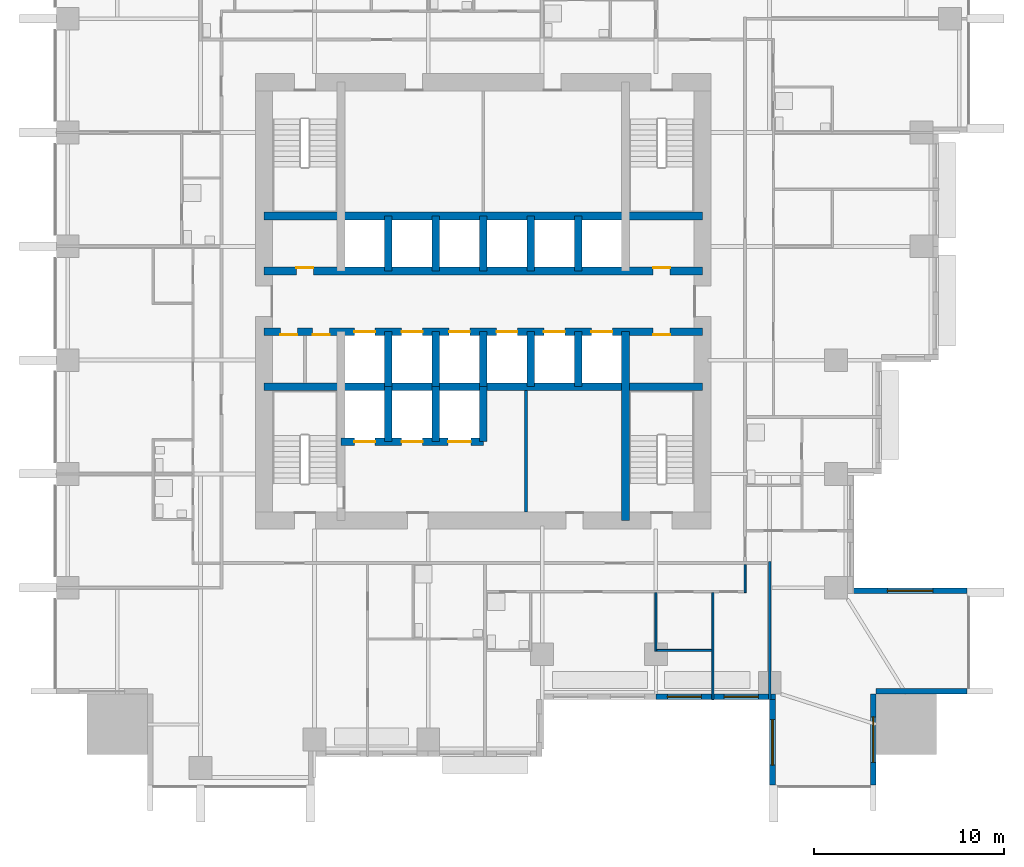
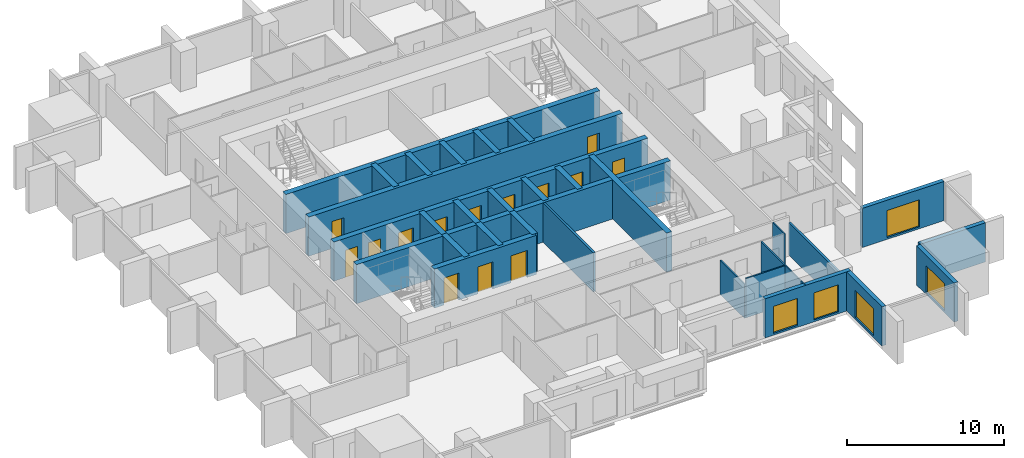
# One storey, part 5 of 10: 30 walls, 14 doors, 5 windows, 19 openings.
"""IFC4 building model written with IfcOpenShell, lengths in metres."""

from ifc_helpers import new_model, si_unit, direction, frame, frame_2d, origin, place, context, subcontext, project, spatial, rectangle, extrude, material, layer, layer_set, type_object, element, fill, save


model = new_model("IFC4")

# Units and contexts
model_context = context("Model", 3, precision=1e-05, world=origin(), true_north=direction((0.0, 1.0)))
body_context = subcontext(model_context, "Body", "Model", "MODEL_VIEW")
ifc_project = project(units=[si_unit("LENGTHUNIT", "METRE"), si_unit("AREAUNIT", "SQUARE_METRE"), si_unit("VOLUMEUNIT", "CUBIC_METRE"), si_unit("PLANEANGLEUNIT", "RADIAN"), si_unit("MASSUNIT", "GRAM", prefix="KILO")], contexts=[model_context])

# Site, building, storey
site_placement = place(None, origin())
site = spatial("IfcSite", under=ifc_project, at=site_placement, CompositionType="ELEMENT")
building_placement = place(site_placement, origin())
building = spatial("IfcBuilding", under=site, at=building_placement, Name="Amberfall Residences", CompositionType="ELEMENT")
storey_placement = place(building_placement, frame((0.0, 0.0, 40.0)))
storey = spatial("IfcBuildingStorey", under=building, at=storey_placement, Name="L10", CompositionType="ELEMENT", Elevation=40.0)

# Wall, opening, window
ifc_material_1 = material(Name="Pale stone cladding on insulated backing", Category="masonry")
ifc_layer_1 = layer(ifc_material_1, 0.300048828125)
ifc_layer_set_1 = layer_set([ifc_layer_1], Name="Bronze clad wall 300")
wall_type_1 = type_object("IfcWallType", Name="Bronze clad wall 300", PredefinedType="SOLIDWALL", material=ifc_layer_set_1)
wall_1_placement = place(storey_placement, frame((89.75, 24.5, 0.0), z_axis=(0.0, 0.0, 1.0), x_axis=(0.0, -1.0, 0.0)))
wall_1 = element("IfcWall", 1, at=wall_1_placement, inside=storey, type_object=wall_type_1, Name="External wall L10 S", PredefinedType="SOLIDWALL", context=body_context, shape_type="SweptSolid", body=[
    extrude(rectangle(XDim=4.5, YDim=0.300048828125, at=frame_2d((2.25, 0.0))), origin(), (0.0, 0.0, 1.0), 3.050048828125),
])
opening_1_placement = place(wall_1_placement, frame((1.050048828125, 0.0, 0.14990234375)))
opening_1 = element("IfcOpeningElement", 2, at=opening_1_placement, cuts=wall_1, Name="Opening WN5", PredefinedType="OPENING", context=body_context, shape_type="SweptSolid", body=[
    extrude(rectangle(XDim=2.39990234375, YDim=2.10009765625, at=frame_2d((1.199951171875, 1.050048828125))), frame((0.0, 0.159912109375, 0.0), z_axis=(0.0, -1.0, 0.0), x_axis=(1.0, 0.0, 0.0)), (0.0, 0.0, 1.0), 0.320068359375),
])
ifc_material_2 = material(Name="Bronze aluminium framed glazing", Category="aluminium")
window_type_1 = type_object("IfcWindowType", Name="Glazed opening 2400 x 2100 bronze", PartitioningType="DOUBLE_PANEL_VERTICAL", PredefinedType="WINDOW", material=ifc_material_2)
window_1_placement = place(opening_1_placement, origin())
window_1 = element("IfcWindow", 3, at=window_1_placement, inside=storey, type_object=window_type_1, Name="Window L10 S", OverallHeight=2.10009765625, OverallWidth=2.39990234375, PartitioningType="DOUBLE_PANEL_VERTICAL", PredefinedType="WINDOW", context=body_context, shape_type="SweptSolid", body=[
    extrude(rectangle(XDim=2.39990234375, YDim=2.10009765625, at=frame_2d((1.199951171875, 1.050048828125))), frame((0.0, 0.030029296875, 0.0), z_axis=(0.0, -1.0, 0.0), x_axis=(1.0, 0.0, 0.0)), (0.0, 0.0, 1.0), 0.06005859375),
])
fill(opening_1, window_1)

wall_2_placement = place(storey_placement, frame((95.050048828125, 20.0, 0.0), z_axis=(0.0, 0.0, 1.0), x_axis=(0.0, 1.0, 0.0)))
wall_2 = element("IfcWall", 4, at=wall_2_placement, inside=storey, type_object=wall_type_1, Name="External wall L10 SE", PredefinedType="SOLIDWALL", context=body_context, shape_type="SweptSolid", body=[
    extrude(rectangle(XDim=4.800048828125, YDim=0.300048828125, at=frame_2d((2.39990234375, 0.0))), origin(), (0.0, 0.0, 1.0), 3.050048828125),
])
opening_2_placement = place(wall_2_placement, frame((1.199951171875, 0.0, 0.14990234375)))
opening_2 = element("IfcOpeningElement", 5, at=opening_2_placement, cuts=wall_2, Name="Opening WN5", PredefinedType="OPENING", context=body_context, shape_type="SweptSolid", body=[
    extrude(rectangle(XDim=2.39990234375, YDim=2.10009765625, at=frame_2d((1.199951171875, 1.050048828125))), frame((0.0, 0.159912109375, 0.0), z_axis=(0.0, -1.0, 0.0), x_axis=(1.0, 0.0, 0.0)), (0.0, 0.0, 1.0), 0.320068359375),
])
window_2_placement = place(opening_2_placement, origin())
window_2 = element("IfcWindow", 6, at=window_2_placement, inside=storey, type_object=window_type_1, Name="Window L10 SE", OverallHeight=2.10009765625, OverallWidth=2.39990234375, PartitioningType="DOUBLE_PANEL_VERTICAL", PredefinedType="WINDOW", context=body_context, shape_type="SweptSolid", body=[
    extrude(rectangle(XDim=2.39990234375, YDim=2.10009765625, at=frame_2d((1.199951171875, 1.050048828125))), frame((0.0, 0.030029296875, 0.0), z_axis=(0.0, -1.0, 0.0), x_axis=(1.0, 0.0, 0.0)), (0.0, 0.0, 1.0), 0.06005859375),
])
fill(opening_2, window_2)

# Wall
wall_3_placement = place(storey_placement, frame((95.199951171875, 24.949951171875, 0.0), z_axis=(0.0, 0.0, 1.0), x_axis=(1.0, 0.0, 0.0)))
element("IfcWall", 7, at=wall_3_placement, inside=storey, type_object=wall_type_1, Name="External wall L10 SE", PredefinedType="SOLIDWALL", context=body_context, shape_type="SweptSolid", body=[
    extrude(rectangle(XDim=4.800048828125, YDim=0.300048828125, at=frame_2d((2.39990234375, 0.0))), origin(), (0.0, 0.0, 1.0), 3.050048828125),
])

# Wall, opening, window
wall_4_placement = place(storey_placement, frame((100.0, 30.25, 0.0), z_axis=(0.0, 0.0, 1.0), x_axis=(-1.0, 0.0, 0.0)))
wall_4 = element("IfcWall", 8, at=wall_4_placement, inside=storey, type_object=wall_type_1, Name="External wall L10 E", PredefinedType="SOLIDWALL", context=body_context, shape_type="SweptSolid", body=[
    extrude(rectangle(XDim=6.0, YDim=0.300048828125, at=frame_2d((3.0, 0.0))), origin(), (0.0, 0.0, 1.0), 3.050048828125),
])
opening_3_placement = place(wall_4_placement, frame((1.800048828125, 0.0, 0.14990234375)))
opening_3 = element("IfcOpeningElement", 9, at=opening_3_placement, cuts=wall_4, Name="Opening WN5", PredefinedType="OPENING", context=body_context, shape_type="SweptSolid", body=[
    extrude(rectangle(XDim=2.39990234375, YDim=2.10009765625, at=frame_2d((1.199951171875, 1.050048828125))), frame((0.0, 0.159912109375, 0.0), z_axis=(0.0, -1.0, 0.0), x_axis=(1.0, 0.0, 0.0)), (0.0, 0.0, 1.0), 0.320068359375),
])
window_3_placement = place(opening_3_placement, origin())
window_3 = element("IfcWindow", 10, at=window_3_placement, inside=storey, type_object=window_type_1, Name="Window L10 E", OverallHeight=2.10009765625, OverallWidth=2.39990234375, PartitioningType="DOUBLE_PANEL_VERTICAL", PredefinedType="WINDOW", context=body_context, shape_type="SweptSolid", body=[
    extrude(rectangle(XDim=2.39990234375, YDim=2.10009765625, at=frame_2d((1.199951171875, 1.050048828125))), frame((0.0, 0.030029296875, 0.0), z_axis=(0.0, -1.0, 0.0), x_axis=(1.0, 0.0, 0.0)), (0.0, 0.0, 1.0), 0.06005859375),
])
fill(opening_3, window_3)

# Wall, openings, windows
wall_5_placement = place(storey_placement, frame((83.60009765625, 24.64990234375, 0.0), z_axis=(0.0, 0.0, 1.0), x_axis=(1.0, 0.0, 0.0)))
wall_5 = element("IfcWall", 11, at=wall_5_placement, inside=storey, type_object=wall_type_1, Name="Stone wall L10 S", PredefinedType="SOLIDWALL", context=body_context, shape_type="SweptSolid", body=[
    extrude(rectangle(XDim=6.2998046875, YDim=0.300048828125, at=frame_2d((3.14990234375, 0.0))), origin(), (0.0, 0.0, 1.0), 3.050048828125),
])
opening_4_placement = place(wall_5_placement, frame((0.60009765625, 0.0, 0.14990234375)))
opening_4 = element("IfcOpeningElement", 12, at=opening_4_placement, cuts=wall_5, Name="Opening WN6", PredefinedType="OPENING", context=body_context, shape_type="SweptSolid", body=[
    extrude(rectangle(XDim=1.800048828125, YDim=2.10009765625, at=frame_2d((0.89990234375, 1.050048828125))), frame((0.0, 0.159912109375, 0.0), z_axis=(0.0, -1.0, 0.0), x_axis=(1.0, 0.0, 0.0)), (0.0, 0.0, 1.0), 0.320068359375),
])
opening_5_placement = place(wall_5_placement, frame((3.60009765625, 0.0, 0.14990234375)))
opening_5 = element("IfcOpeningElement", 13, at=opening_5_placement, cuts=wall_5, Name="Opening WN6", PredefinedType="OPENING", context=body_context, shape_type="SweptSolid", body=[
    extrude(rectangle(XDim=1.800048828125, YDim=2.10009765625, at=frame_2d((0.89990234375, 1.050048828125))), frame((0.0, 0.159912109375, 0.0), z_axis=(0.0, -1.0, 0.0), x_axis=(1.0, 0.0, 0.0)), (0.0, 0.0, 1.0), 0.320068359375),
])
window_type_2 = type_object("IfcWindowType", Name="Glazed opening 1800 x 2100 bronze", PartitioningType="DOUBLE_PANEL_VERTICAL", PredefinedType="WINDOW", material=ifc_material_2)
window_4_placement = place(opening_4_placement, origin())
window_4 = element("IfcWindow", 14, at=window_4_placement, inside=storey, type_object=window_type_2, Name="Window L10 S", OverallHeight=2.10009765625, OverallWidth=1.800048828125, PartitioningType="DOUBLE_PANEL_VERTICAL", PredefinedType="WINDOW", context=body_context, shape_type="SweptSolid", body=[
    extrude(rectangle(XDim=1.800048828125, YDim=2.10009765625, at=frame_2d((0.89990234375, 1.050048828125))), frame((0.0, 0.030029296875, 0.0), z_axis=(0.0, -1.0, 0.0), x_axis=(1.0, 0.0, 0.0)), (0.0, 0.0, 1.0), 0.06005859375),
])
fill(opening_4, window_4)
window_5_placement = place(opening_5_placement, origin())
window_5 = element("IfcWindow", 15, at=window_5_placement, inside=storey, type_object=window_type_2, Name="Window L10 S", OverallHeight=2.10009765625, OverallWidth=1.800048828125, PartitioningType="DOUBLE_PANEL_VERTICAL", PredefinedType="WINDOW", context=body_context, shape_type="SweptSolid", body=[
    extrude(rectangle(XDim=1.800048828125, YDim=2.10009765625, at=frame_2d((0.89990234375, 1.050048828125))), frame((0.0, 0.030029296875, 0.0), z_axis=(0.0, -1.0, 0.0), x_axis=(1.0, 0.0, 0.0)), (0.0, 0.0, 1.0), 0.06005859375),
])
fill(opening_5, window_5)

# Wall
ifc_material_3 = material(Name="Concrete C80", Category="concrete")
ifc_layer_2 = layer(ifc_material_3, 0.39990234375)
ifc_layer_set_2 = layer_set([ifc_layer_2], Name="Core wall 400 C80")
wall_type_2 = type_object("IfcWallType", Name="Core wall 400 C80", PredefinedType="SHEAR", material=ifc_layer_set_2)
wall_6_placement = place(storey_placement, frame((62.949951171875, 41.0, 0.0), z_axis=(0.0, 0.0, 1.0), x_axis=(1.0, 0.0, 0.0)))
element("IfcWall", 16, at=wall_6_placement, inside=storey, type_object=wall_type_2, Name="Core wall RW2 L10 H75", PredefinedType="SHEAR", context=body_context, shape_type="SweptSolid", body=[
    extrude(rectangle(XDim=23.10009765625, YDim=0.39990234375, at=frame_2d((11.550048828125, 0.0))), origin(), (0.0, 0.0, 1.0), 3.050048828125),
])

# Wall, openings, doors
wall_7_placement = place(storey_placement, frame((62.949951171875, 43.89990234375, 0.0), z_axis=(0.0, 0.0, 1.0), x_axis=(1.0, 0.0, 0.0)))
wall_7 = element("IfcWall", 17, at=wall_7_placement, inside=storey, type_object=wall_type_2, Name="Core wall RW2 L10 H104", PredefinedType="SHEAR", context=body_context, shape_type="SweptSolid", body=[
    extrude(rectangle(XDim=23.10009765625, YDim=0.39990234375, at=frame_2d((11.550048828125, 0.0))), origin(), (0.0, 0.0, 1.0), 3.050048828125),
])
opening_6_placement = place(wall_7_placement, frame((0.85009765625, 0.0, 0.0)))
opening_6 = element("IfcOpeningElement", 18, at=opening_6_placement, cuts=wall_7, Name="Opening RD1", PredefinedType="OPENING", context=body_context, shape_type="SweptSolid", body=[
    extrude(rectangle(XDim=0.89990234375, YDim=2.10009765625, at=frame_2d((0.449951171875, 1.050048828125))), frame((0.0, 0.2099609375, 0.0), z_axis=(0.0, -1.0, 0.0), x_axis=(1.0, 0.0, 0.0)), (0.0, 0.0, 1.0), 0.419921875),
])
opening_7_placement = place(wall_7_placement, frame((2.550048828125, 0.0, 0.0)))
opening_7 = element("IfcOpeningElement", 19, at=opening_7_placement, cuts=wall_7, Name="Opening RD1", PredefinedType="OPENING", context=body_context, shape_type="SweptSolid", body=[
    extrude(rectangle(XDim=0.89990234375, YDim=2.10009765625, at=frame_2d((0.449951171875, 1.050048828125))), frame((0.0, 0.2099609375, 0.0), z_axis=(0.0, -1.0, 0.0), x_axis=(1.0, 0.0, 0.0)), (0.0, 0.0, 1.0), 0.419921875),
])
opening_8_placement = place(wall_7_placement, frame((20.5, 0.0, 0.0)))
opening_8 = element("IfcOpeningElement", 20, at=opening_8_placement, cuts=wall_7, Name="Opening RD1", PredefinedType="OPENING", context=body_context, shape_type="SweptSolid", body=[
    extrude(rectangle(XDim=0.89990234375, YDim=2.10009765625, at=frame_2d((0.449951171875, 1.050048828125))), frame((0.0, 0.2099609375, 0.0), z_axis=(0.0, -1.0, 0.0), x_axis=(1.0, 0.0, 0.0)), (0.0, 0.0, 1.0), 0.419921875),
])
opening_9_placement = place(wall_7_placement, frame((4.75, 0.0, 0.0)))
opening_9 = element("IfcOpeningElement", 21, at=opening_9_placement, cuts=wall_7, Name="Opening LD1", PredefinedType="OPENING", context=body_context, shape_type="SweptSolid", body=[
    extrude(rectangle(XDim=1.10009765625, YDim=2.10009765625, at=frame_2d((0.550048828125, 1.050048828125))), frame((0.0, 0.2099609375, 0.0), z_axis=(0.0, -1.0, 0.0), x_axis=(1.0, 0.0, 0.0)), (0.0, 0.0, 1.0), 0.419921875),
])
opening_10_placement = place(wall_7_placement, frame((7.25, 0.0, 0.0)))
opening_10 = element("IfcOpeningElement", 22, at=opening_10_placement, cuts=wall_7, Name="Opening LD1", PredefinedType="OPENING", context=body_context, shape_type="SweptSolid", body=[
    extrude(rectangle(XDim=1.10009765625, YDim=2.10009765625, at=frame_2d((0.550048828125, 1.050048828125))), frame((0.0, 0.2099609375, 0.0), z_axis=(0.0, -1.0, 0.0), x_axis=(1.0, 0.0, 0.0)), (0.0, 0.0, 1.0), 0.419921875),
])
opening_11_placement = place(wall_7_placement, frame((9.75, 0.0, 0.0)))
opening_11 = element("IfcOpeningElement", 23, at=opening_11_placement, cuts=wall_7, Name="Opening LD1", PredefinedType="OPENING", context=body_context, shape_type="SweptSolid", body=[
    extrude(rectangle(XDim=1.10009765625, YDim=2.10009765625, at=frame_2d((0.550048828125, 1.050048828125))), frame((0.0, 0.2099609375, 0.0), z_axis=(0.0, -1.0, 0.0), x_axis=(1.0, 0.0, 0.0)), (0.0, 0.0, 1.0), 0.419921875),
])
opening_12_placement = place(wall_7_placement, frame((12.25, 0.0, 0.0)))
opening_12 = element("IfcOpeningElement", 24, at=opening_12_placement, cuts=wall_7, Name="Opening LD1", PredefinedType="OPENING", context=body_context, shape_type="SweptSolid", body=[
    extrude(rectangle(XDim=1.10009765625, YDim=2.10009765625, at=frame_2d((0.550048828125, 1.050048828125))), frame((0.0, 0.2099609375, 0.0), z_axis=(0.0, -1.0, 0.0), x_axis=(1.0, 0.0, 0.0)), (0.0, 0.0, 1.0), 0.419921875),
])
opening_13_placement = place(wall_7_placement, frame((14.75, 0.0, 0.0)))
opening_13 = element("IfcOpeningElement", 25, at=opening_13_placement, cuts=wall_7, Name="Opening LD1", PredefinedType="OPENING", context=body_context, shape_type="SweptSolid", body=[
    extrude(rectangle(XDim=1.10009765625, YDim=2.10009765625, at=frame_2d((0.550048828125, 1.050048828125))), frame((0.0, 0.2099609375, 0.0), z_axis=(0.0, -1.0, 0.0), x_axis=(1.0, 0.0, 0.0)), (0.0, 0.0, 1.0), 0.419921875),
])
opening_14_placement = place(wall_7_placement, frame((17.25, 0.0, 0.0)))
opening_14 = element("IfcOpeningElement", 26, at=opening_14_placement, cuts=wall_7, Name="Opening LD1", PredefinedType="OPENING", context=body_context, shape_type="SweptSolid", body=[
    extrude(rectangle(XDim=1.10009765625, YDim=2.10009765625, at=frame_2d((0.550048828125, 1.050048828125))), frame((0.0, 0.2099609375, 0.0), z_axis=(0.0, -1.0, 0.0), x_axis=(1.0, 0.0, 0.0)), (0.0, 0.0, 1.0), 0.419921875),
])
ifc_material_4 = material(Name="Steel fire door set", Category="steel")
door_type_1 = type_object("IfcDoorType", Name="Lift landing door 1100 x 2100", OperationType="DOUBLE_DOOR_SLIDING", PredefinedType="DOOR", material=ifc_material_4)
door_1_placement = place(opening_9_placement, origin())
door_1 = element("IfcDoor", 27, at=door_1_placement, inside=storey, type_object=door_type_1, Name="Landing door LP1 L10", OperationType="DOUBLE_DOOR_SLIDING", OverallHeight=2.10009765625, OverallWidth=1.10009765625, PredefinedType="DOOR", context=body_context, shape_type="SweptSolid", body=[
    extrude(rectangle(XDim=1.10009765625, YDim=2.10009765625, at=frame_2d((0.550048828125, 1.050048828125))), frame((0.0, 0.02490234375, 0.0), z_axis=(0.0, -1.0, 0.0), x_axis=(1.0, 0.0, 0.0)), (0.0, 0.0, 1.0), 0.050048828125),
])
fill(opening_9, door_1)
door_2_placement = place(opening_10_placement, origin())
door_2 = element("IfcDoor", 28, at=door_2_placement, inside=storey, type_object=door_type_1, Name="Landing door LP2 L10", OperationType="DOUBLE_DOOR_SLIDING", OverallHeight=2.10009765625, OverallWidth=1.10009765625, PredefinedType="DOOR", context=body_context, shape_type="SweptSolid", body=[
    extrude(rectangle(XDim=1.10009765625, YDim=2.10009765625, at=frame_2d((0.550048828125, 1.050048828125))), frame((0.0, 0.02490234375, 0.0), z_axis=(0.0, -1.0, 0.0), x_axis=(1.0, 0.0, 0.0)), (0.0, 0.0, 1.0), 0.050048828125),
])
fill(opening_10, door_2)
door_3_placement = place(opening_11_placement, origin())
door_3 = element("IfcDoor", 29, at=door_3_placement, inside=storey, type_object=door_type_1, Name="Landing door LP3 L10", OperationType="DOUBLE_DOOR_SLIDING", OverallHeight=2.10009765625, OverallWidth=1.10009765625, PredefinedType="DOOR", context=body_context, shape_type="SweptSolid", body=[
    extrude(rectangle(XDim=1.10009765625, YDim=2.10009765625, at=frame_2d((0.550048828125, 1.050048828125))), frame((0.0, 0.02490234375, 0.0), z_axis=(0.0, -1.0, 0.0), x_axis=(1.0, 0.0, 0.0)), (0.0, 0.0, 1.0), 0.050048828125),
])
fill(opening_11, door_3)
door_4_placement = place(opening_12_placement, origin())
door_4 = element("IfcDoor", 30, at=door_4_placement, inside=storey, type_object=door_type_1, Name="Landing door LP4 L10", OperationType="DOUBLE_DOOR_SLIDING", OverallHeight=2.10009765625, OverallWidth=1.10009765625, PredefinedType="DOOR", context=body_context, shape_type="SweptSolid", body=[
    extrude(rectangle(XDim=1.10009765625, YDim=2.10009765625, at=frame_2d((0.550048828125, 1.050048828125))), frame((0.0, 0.02490234375, 0.0), z_axis=(0.0, -1.0, 0.0), x_axis=(1.0, 0.0, 0.0)), (0.0, 0.0, 1.0), 0.050048828125),
])
fill(opening_12, door_4)
door_5_placement = place(opening_13_placement, origin())
door_5 = element("IfcDoor", 31, at=door_5_placement, inside=storey, type_object=door_type_1, Name="Landing door LP5 L10", OperationType="DOUBLE_DOOR_SLIDING", OverallHeight=2.10009765625, OverallWidth=1.10009765625, PredefinedType="DOOR", context=body_context, shape_type="SweptSolid", body=[
    extrude(rectangle(XDim=1.10009765625, YDim=2.10009765625, at=frame_2d((0.550048828125, 1.050048828125))), frame((0.0, 0.02490234375, 0.0), z_axis=(0.0, -1.0, 0.0), x_axis=(1.0, 0.0, 0.0)), (0.0, 0.0, 1.0), 0.050048828125),
])
fill(opening_13, door_5)
door_6_placement = place(opening_14_placement, origin())
door_6 = element("IfcDoor", 32, at=door_6_placement, inside=storey, type_object=door_type_1, Name="Landing door LP6 L10", OperationType="DOUBLE_DOOR_SLIDING", OverallHeight=2.10009765625, OverallWidth=1.10009765625, PredefinedType="DOOR", context=body_context, shape_type="SweptSolid", body=[
    extrude(rectangle(XDim=1.10009765625, YDim=2.10009765625, at=frame_2d((0.550048828125, 1.050048828125))), frame((0.0, 0.02490234375, 0.0), z_axis=(0.0, -1.0, 0.0), x_axis=(1.0, 0.0, 0.0)), (0.0, 0.0, 1.0), 0.050048828125),
])
fill(opening_14, door_6)
door_type_2 = type_object("IfcDoorType", Name="Service room door 900 x 2100", OperationType="SINGLE_SWING_LEFT", PredefinedType="DOOR", material=ifc_material_4)
door_7_placement = place(opening_6_placement, origin())
door_7 = element("IfcDoor", 33, at=door_7_placement, inside=storey, type_object=door_type_2, Name="RD1 L10", OperationType="SINGLE_SWING_LEFT", OverallHeight=2.10009765625, OverallWidth=0.89990234375, PredefinedType="DOOR", context=body_context, shape_type="SweptSolid", body=[
    extrude(rectangle(XDim=0.89990234375, YDim=2.10009765625, at=frame_2d((0.449951171875, 1.050048828125))), frame((0.0, -0.1376953125, 0.0), z_axis=(0.0, -1.0, 0.0), x_axis=(1.0, 0.0, 0.0)), (0.0, 0.0, 1.0), 0.050048828125),
])
fill(opening_6, door_7)
door_8_placement = place(opening_7_placement, origin())
door_8 = element("IfcDoor", 34, at=door_8_placement, inside=storey, type_object=door_type_2, Name="RD1 L10", OperationType="SINGLE_SWING_RIGHT", OverallHeight=2.10009765625, OverallWidth=0.89990234375, PredefinedType="DOOR", context=body_context, shape_type="SweptSolid", body=[
    extrude(rectangle(XDim=0.89990234375, YDim=2.10009765625, at=frame_2d((0.449951171875, 1.050048828125))), frame((0.0, -0.1376953125, 0.0), z_axis=(0.0, -1.0, 0.0), x_axis=(1.0, 0.0, 0.0)), (0.0, 0.0, 1.0), 0.050048828125),
])
fill(opening_7, door_8)
door_9_placement = place(opening_8_placement, origin())
door_9 = element("IfcDoor", 35, at=door_9_placement, inside=storey, type_object=door_type_2, Name="RD1 L10", OperationType="SINGLE_SWING_LEFT", OverallHeight=2.10009765625, OverallWidth=0.89990234375, PredefinedType="DOOR", context=body_context, shape_type="SweptSolid", body=[
    extrude(rectangle(XDim=0.89990234375, YDim=2.10009765625, at=frame_2d((0.449951171875, 1.050048828125))), frame((0.0, -0.1376953125, 0.0), z_axis=(0.0, -1.0, 0.0), x_axis=(1.0, 0.0, 0.0)), (0.0, 0.0, 1.0), 0.050048828125),
])
fill(opening_8, door_9)

wall_8_placement = place(storey_placement, frame((62.949951171875, 47.10009765625, 0.0), z_axis=(0.0, 0.0, 1.0), x_axis=(1.0, 0.0, 0.0)))
wall_8 = element("IfcWall", 36, at=wall_8_placement, inside=storey, type_object=wall_type_2, Name="Core wall RW2 L10 H136", PredefinedType="SHEAR", context=body_context, shape_type="SweptSolid", body=[
    extrude(rectangle(XDim=23.10009765625, YDim=0.39990234375, at=frame_2d((11.550048828125, 0.0))), origin(), (0.0, 0.0, 1.0), 3.050048828125),
])
opening_15_placement = place(wall_8_placement, frame((1.699951171875, 0.0, 0.0)))
opening_15 = element("IfcOpeningElement", 37, at=opening_15_placement, cuts=wall_8, Name="Opening RD1", PredefinedType="OPENING", context=body_context, shape_type="SweptSolid", body=[
    extrude(rectangle(XDim=0.89990234375, YDim=2.10009765625, at=frame_2d((0.449951171875, 1.050048828125))), frame((0.0, 0.2099609375, 0.0), z_axis=(0.0, -1.0, 0.0), x_axis=(1.0, 0.0, 0.0)), (0.0, 0.0, 1.0), 0.419921875),
])
opening_16_placement = place(wall_8_placement, frame((20.5, 0.0, 0.0)))
opening_16 = element("IfcOpeningElement", 38, at=opening_16_placement, cuts=wall_8, Name="Opening RD1", PredefinedType="OPENING", context=body_context, shape_type="SweptSolid", body=[
    extrude(rectangle(XDim=0.89990234375, YDim=2.10009765625, at=frame_2d((0.449951171875, 1.050048828125))), frame((0.0, 0.2099609375, 0.0), z_axis=(0.0, -1.0, 0.0), x_axis=(1.0, 0.0, 0.0)), (0.0, 0.0, 1.0), 0.419921875),
])
door_10_placement = place(opening_15_placement, origin())
door_10 = element("IfcDoor", 39, at=door_10_placement, inside=storey, type_object=door_type_2, Name="RD1 L10", OperationType="SINGLE_SWING_LEFT", OverallHeight=2.10009765625, OverallWidth=0.89990234375, PredefinedType="DOOR", context=body_context, shape_type="SweptSolid", body=[
    extrude(rectangle(XDim=0.89990234375, YDim=2.10009765625, at=frame_2d((0.449951171875, 1.050048828125))), frame((0.0, 0.1875, 0.0), z_axis=(0.0, -1.0, 0.0), x_axis=(1.0, 0.0, 0.0)), (0.0, 0.0, 1.0), 0.050048828125),
])
fill(opening_15, door_10)
door_11_placement = place(opening_16_placement, origin())
door_11 = element("IfcDoor", 40, at=door_11_placement, inside=storey, type_object=door_type_2, Name="RD1 L10", OperationType="SINGLE_SWING_LEFT", OverallHeight=2.10009765625, OverallWidth=0.89990234375, PredefinedType="DOOR", context=body_context, shape_type="SweptSolid", body=[
    extrude(rectangle(XDim=0.89990234375, YDim=2.10009765625, at=frame_2d((0.449951171875, 1.050048828125))), frame((0.0, 0.1875, 0.0), z_axis=(0.0, -1.0, 0.0), x_axis=(1.0, 0.0, 0.0)), (0.0, 0.0, 1.0), 0.050048828125),
])
fill(opening_16, door_11)

# Walls
wall_9_placement = place(storey_placement, frame((62.949951171875, 50.0, 0.0), z_axis=(0.0, 0.0, 1.0), x_axis=(1.0, 0.0, 0.0)))
element("IfcWall", 41, at=wall_9_placement, inside=storey, type_object=wall_type_2, Name="Core wall RW2 L10 H165", PredefinedType="SHEAR", context=body_context, shape_type="SweptSolid", body=[
    extrude(rectangle(XDim=23.10009765625, YDim=0.39990234375, at=frame_2d((11.550048828125, 0.0))), origin(), (0.0, 0.0, 1.0), 3.050048828125),
])
wall_10_placement = place(storey_placement, frame((82.0, 33.949951171875, 0.0), z_axis=(0.0, 0.0, 1.0), x_axis=(0.0, 1.0, 0.0)))
element("IfcWall", 42, at=wall_10_placement, inside=storey, type_object=wall_type_2, Name="Core wall RW2 L10 V195S", PredefinedType="SHEAR", context=body_context, shape_type="SweptSolid", body=[
    extrude(rectangle(XDim=9.949951171875, YDim=0.39990234375, at=frame_2d((4.97509765625, 0.0))), origin(), (0.0, 0.0, 1.0), 3.050048828125),
])
for number, where, z_axis, x_axis, name in (
    (43, (69.5, 41.0, 0.0), (0.0, 0.0, 1.0), (0.0, 1.0, 0.0), "Core wall RW2 L10 LPD1"),
    (44, (69.5, 47.10009765625, 0.0), (0.0, 0.0, 1.0), (0.0, 1.0, 0.0), "Core wall RW2 L10 HPD1"),
    (45, (72.0, 41.0, 0.0), (0.0, 0.0, 1.0), (0.0, 1.0, 0.0), "Core wall RW2 L10 LPD2"),
    (46, (72.0, 47.10009765625, 0.0), (0.0, 0.0, 1.0), (0.0, 1.0, 0.0), "Core wall RW2 L10 HPD2"),
    (47, (74.5, 41.0, 0.0), (0.0, 0.0, 1.0), (0.0, 1.0, 0.0), "Core wall RW2 L10 LPD3"),
    (48, (74.5, 47.10009765625, 0.0), (0.0, 0.0, 1.0), (0.0, 1.0, 0.0), "Core wall RW2 L10 HPD3"),
    (49, (77.0, 41.0, 0.0), (0.0, 0.0, 1.0), (0.0, 1.0, 0.0), "Core wall RW2 L10 LPD4"),
    (50, (77.0, 47.10009765625, 0.0), (0.0, 0.0, 1.0), (0.0, 1.0, 0.0), "Core wall RW2 L10 HPD4"),
    (51, (79.5, 41.0, 0.0), (0.0, 0.0, 1.0), (0.0, 1.0, 0.0), "Core wall RW2 L10 LPD5"),
    (52, (79.5, 47.10009765625, 0.0), (0.0, 0.0, 1.0), (0.0, 1.0, 0.0), "Core wall RW2 L10 HPD5"),
):
    element("IfcWall", number, at=place(storey_placement, frame(where, z_axis=z_axis, x_axis=x_axis)), inside=storey, type_object=wall_type_2, Name=name, PredefinedType="SHEAR", context=body_context, shape_type="SweptSolid", body=[
        extrude(rectangle(XDim=2.89990234375, YDim=0.39990234375, at=frame_2d((1.449951171875, 0.0))), origin(), (0.0, 0.0, 1.0), 3.050048828125),
    ])

# Wall, openings, doors
wall_11_placement = place(storey_placement, frame((67.0, 38.10009765625, 0.0), z_axis=(0.0, 0.0, 1.0), x_axis=(1.0, 0.0, 0.0)))
wall_11 = element("IfcWall", 53, at=wall_11_placement, inside=storey, type_object=wall_type_2, Name="Core wall RW2 L10 FFF", PredefinedType="SHEAR", context=body_context, shape_type="SweptSolid", body=[
    extrude(rectangle(XDim=7.5, YDim=0.39990234375, at=frame_2d((3.75, 0.0))), origin(), (0.0, 0.0, 1.0), 3.050048828125),
])
opening_17_placement = place(wall_11_placement, frame((0.699951171875, 0.0, 0.0)))
opening_17 = element("IfcOpeningElement", 54, at=opening_17_placement, cuts=wall_11, Name="Opening LD2", PredefinedType="OPENING", context=body_context, shape_type="SweptSolid", body=[
    extrude(rectangle(XDim=1.10009765625, YDim=2.10009765625, at=frame_2d((0.550048828125, 1.050048828125))), frame((0.0, 0.2099609375, 0.0), z_axis=(0.0, -1.0, 0.0), x_axis=(1.0, 0.0, 0.0)), (0.0, 0.0, 1.0), 0.419921875),
])
opening_18_placement = place(wall_11_placement, frame((3.199951171875, 0.0, 0.0)))
opening_18 = element("IfcOpeningElement", 55, at=opening_18_placement, cuts=wall_11, Name="Opening LD2", PredefinedType="OPENING", context=body_context, shape_type="SweptSolid", body=[
    extrude(rectangle(XDim=1.10009765625, YDim=2.10009765625, at=frame_2d((0.550048828125, 1.050048828125))), frame((0.0, 0.2099609375, 0.0), z_axis=(0.0, -1.0, 0.0), x_axis=(1.0, 0.0, 0.0)), (0.0, 0.0, 1.0), 0.419921875),
])
opening_19_placement = place(wall_11_placement, frame((5.64990234375, 0.0, 0.0)))
opening_19 = element("IfcOpeningElement", 56, at=opening_19_placement, cuts=wall_11, Name="Opening LD3", PredefinedType="OPENING", context=body_context, shape_type="SweptSolid", body=[
    extrude(rectangle(XDim=1.199951171875, YDim=2.10009765625, at=frame_2d((0.60009765625, 1.050048828125))), frame((0.0, 0.2099609375, 0.0), z_axis=(0.0, -1.0, 0.0), x_axis=(1.0, 0.0, 0.0)), (0.0, 0.0, 1.0), 0.419921875),
])
door_type_3 = type_object("IfcDoorType", Name="Firefighting lift landing door 1100 x 2100", OperationType="DOUBLE_DOOR_SLIDING", PredefinedType="DOOR", material=ifc_material_4)
door_12_placement = place(opening_17_placement, origin())
door_12 = element("IfcDoor", 57, at=door_12_placement, inside=storey, type_object=door_type_3, Name="Landing door FF1 L10", OperationType="DOUBLE_DOOR_SLIDING", OverallHeight=2.10009765625, OverallWidth=1.10009765625, PredefinedType="DOOR", context=body_context, shape_type="SweptSolid", body=[
    extrude(rectangle(XDim=1.10009765625, YDim=2.10009765625, at=frame_2d((0.550048828125, 1.050048828125))), frame((0.0, 0.02490234375, 0.0), z_axis=(0.0, -1.0, 0.0), x_axis=(1.0, 0.0, 0.0)), (0.0, 0.0, 1.0), 0.050048828125),
])
fill(opening_17, door_12)
door_13_placement = place(opening_18_placement, origin())
door_13 = element("IfcDoor", 58, at=door_13_placement, inside=storey, type_object=door_type_3, Name="Landing door FF2 L10", OperationType="DOUBLE_DOOR_SLIDING", OverallHeight=2.10009765625, OverallWidth=1.10009765625, PredefinedType="DOOR", context=body_context, shape_type="SweptSolid", body=[
    extrude(rectangle(XDim=1.10009765625, YDim=2.10009765625, at=frame_2d((0.550048828125, 1.050048828125))), frame((0.0, 0.02490234375, 0.0), z_axis=(0.0, -1.0, 0.0), x_axis=(1.0, 0.0, 0.0)), (0.0, 0.0, 1.0), 0.050048828125),
])
fill(opening_18, door_13)
door_type_4 = type_object("IfcDoorType", Name="Service lift landing door 1200 x 2100", OperationType="DOUBLE_DOOR_SLIDING", PredefinedType="DOOR", material=ifc_material_4)
door_14_placement = place(opening_19_placement, origin())
door_14 = element("IfcDoor", 59, at=door_14_placement, inside=storey, type_object=door_type_4, Name="Landing door SL1 L10", OperationType="DOUBLE_DOOR_SLIDING", OverallHeight=2.10009765625, OverallWidth=1.199951171875, PredefinedType="DOOR", context=body_context, shape_type="SweptSolid", body=[
    extrude(rectangle(XDim=1.199951171875, YDim=2.10009765625, at=frame_2d((0.60009765625, 1.050048828125))), frame((0.0, 0.02490234375, 0.0), z_axis=(0.0, -1.0, 0.0), x_axis=(1.0, 0.0, 0.0)), (0.0, 0.0, 1.0), 0.050048828125),
])
fill(opening_19, door_14)

# Walls
for number, where, z_axis, x_axis, name in (
    (60, (69.5, 38.10009765625, 0.0), (0.0, 0.0, 1.0), (0.0, 1.0, 0.0), "Core wall RW2 L10 FFD1"),
    (61, (72.0, 38.10009765625, 0.0), (0.0, 0.0, 1.0), (0.0, 1.0, 0.0), "Core wall RW2 L10 FFD2"),
    (62, (74.5, 38.10009765625, 0.0), (0.0, 0.0, 1.0), (0.0, 1.0, 0.0), "Core wall RW2 L10 FFD3"),
):
    element("IfcWall", number, at=place(storey_placement, frame(where, z_axis=z_axis, x_axis=x_axis)), inside=storey, type_object=wall_type_2, Name=name, PredefinedType="SHEAR", context=body_context, shape_type="SweptSolid", body=[
        extrude(rectangle(XDim=2.89990234375, YDim=0.39990234375, at=frame_2d((1.449951171875, 0.0))), origin(), (0.0, 0.0, 1.0), 3.050048828125),
    ])
ifc_material_5 = material(Name="Gypsum board on metal stud")
ifc_layer_3 = layer(ifc_material_5, 0.10009765625)
ifc_layer_set_3 = layer_set([ifc_layer_3], Name="Flat partition 100")
wall_type_3 = type_object("IfcWallType", Name="Flat partition 100", PredefinedType="PARTITIONING", material=ifc_layer_set_3)
wall_12_placement = place(storey_placement, frame((83.60009765625, 27.050048828125, 0.0), z_axis=(0.0, 0.0, 1.0), x_axis=(0.0, 1.0, 0.0)))
element("IfcWall", 63, at=wall_12_placement, inside=storey, type_object=wall_type_3, Name="Partition 014", PredefinedType="PARTITIONING", context=body_context, shape_type="SweptSolid", body=[
    extrude(rectangle(XDim=3.099853515625, YDim=0.10009765625, at=frame_2d((1.5498046875, 0.0))), origin(), (0.0, 0.0, 1.0), 2.64697265625),
])
wall_13_placement = place(storey_placement, frame((86.60009765625, 24.5, 0.0), z_axis=(0.0, 0.0, 1.0), x_axis=(0.0, 1.0, 0.0)))
element("IfcWall", 64, at=wall_13_placement, inside=storey, type_object=wall_type_3, Name="Partition 016", PredefinedType="PARTITIONING", context=body_context, shape_type="SweptSolid", body=[
    extrude(rectangle(XDim=5.64990234375, YDim=0.10009765625, at=frame_2d((2.824951171875, 0.0))), origin(), (0.0, 0.0, 1.0), 3.050048828125),
])
wall_14_placement = place(storey_placement, frame((88.300048828125, 30.14990234375, 0.0), z_axis=(0.0, 0.0, 1.0), x_axis=(0.0, 1.0, 0.0)))
element("IfcWall", 65, at=wall_14_placement, inside=storey, type_object=wall_type_3, Name="Partition 017", PredefinedType="PARTITIONING", context=body_context, shape_type="SweptSolid", body=[
    extrude(rectangle(XDim=1.47509765625, YDim=0.10009765625, at=frame_2d((0.737548828125, 0.0))), origin(), (0.0, 0.0, 1.0), 3.050048828125),
])
wall_15_placement = place(storey_placement, frame((83.64990234375, 27.10009765625, 0.0), z_axis=(0.0, 0.0, 1.0), x_axis=(1.0, 0.0, 0.0)))
element("IfcWall", 66, at=wall_15_placement, inside=storey, type_object=wall_type_3, Name="Partition 043", PredefinedType="PARTITIONING", context=body_context, shape_type="SweptSolid", body=[
    extrude(rectangle(XDim=2.900146484375, YDim=0.10009765625, at=frame_2d((1.4501953125, 0.0))), origin(), (0.0, 0.0, 1.0), 3.050048828125),
])
ifc_material_6 = material(Name="Blockwork, plastered", Category="masonry")
ifc_layer_4 = layer(ifc_material_6, 0.14990234375)
ifc_layer_set_4 = layer_set([ifc_layer_4], Name="Flat separating wall 150")
wall_type_4 = type_object("IfcWallType", Name="Flat separating wall 150", PredefinedType="PARTITIONING", material=ifc_layer_set_4)
wall_16_placement = place(storey_placement, frame((89.60009765625, 24.5, 0.0), z_axis=(0.0, 0.0, 1.0), x_axis=(0.0, 1.0, 0.0)))
element("IfcWall", 67, at=wall_16_placement, inside=storey, type_object=wall_type_4, Name="Separating wall 049", PredefinedType="PARTITIONING", context=body_context, shape_type="SweptSolid", body=[
    extrude(rectangle(XDim=7.27490234375, YDim=0.14990234375, at=frame_2d((3.637451171875, 0.0))), origin(), (0.0, 0.0, 1.0), 2.51611328125),
])
ifc_material_7 = material(Name="Concrete blockwork", Category="masonry")
ifc_layer_5 = layer(ifc_material_7, 0.14990234375)
ifc_layer_set_5 = layer_set([ifc_layer_5], Name="Riser wall 150")
wall_type_5 = type_object("IfcWallType", Name="Riser wall 150", PredefinedType="PLUMBINGWALL", material=ifc_layer_set_5)
wall_17_placement = place(storey_placement, frame((76.75, 34.39990234375, 0.0), z_axis=(0.0, 0.0, 1.0), x_axis=(0.0, 1.0, 0.0)))
element("IfcWall", 68, at=wall_17_placement, inside=storey, type_object=wall_type_5, Name="L10 core wall PX", PredefinedType="PLUMBINGWALL", context=body_context, shape_type="SweptSolid", body=[
    extrude(rectangle(XDim=6.400146484375, YDim=0.14990234375, at=frame_2d((3.2001953125, 0.0))), origin(), (0.0, 0.0, 1.0), 3.050048828125),
])

save(model, "model.ifc")
